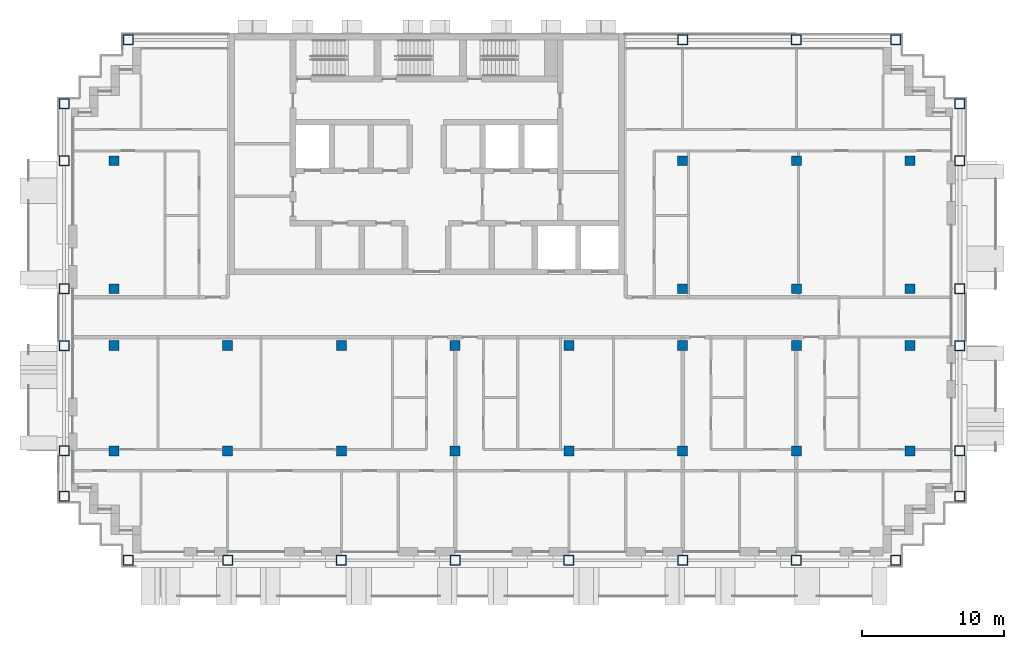
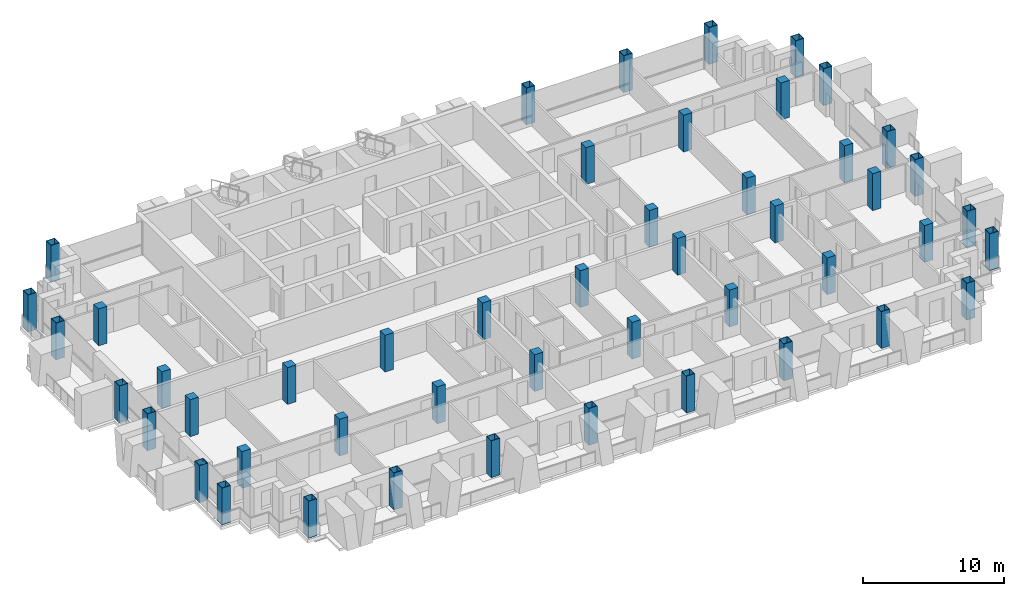
# One storey, part 1 of 16: 48 columns.
"""IFC4 building model written with IfcOpenShell, lengths in metres."""

import ifcopenshell
import ifcopenshell.guid

model = None  # the IFC model being written
_history = None  # IfcOwnerHistory: only IFC2X3 demands one
_inside = {}  # id of a spatial element -> (the spatial element, [elements in it])
_under = {}  # id of a project, library or spatial element -> (it, [spatial elements below it])
_declared = {}  # id of a project -> (the project, [libraries it declares])
_typed = {}  # id of a type object -> (the type object, [elements of that type])
_made_of = {}  # id of a material, layer set ... -> (it, [elements and type objects made of it])


def new_model(schema):
    """Start an empty IFC model of exactly this schema.

    Asked for "IFC4X3", IfcOpenShell would pick the latest addendum, in which some entities
    have other attributes; the version numbers below select the first issue.
    IFC2X3 requires an IfcOwnerHistory on every rooted entity: one is made here for all.
    """
    global model, _history
    if schema == "IFC4X3":
        model = ifcopenshell.file(schema_version=(4, 3, 0, 0))
    else:
        model = ifcopenshell.file(schema=schema)
    _inside.clear()
    _under.clear()
    _declared.clear()
    _typed.clear()
    _made_of.clear()
    _history = None
    if model.schema == "IFC2X3":
        org = make("IfcOrganization", Name="unknown")
        user = make(
            "IfcPersonAndOrganization",
            ThePerson=make("IfcPerson", FamilyName="unknown"),
            TheOrganization=org,
        )
        app = make(
            "IfcApplication",
            ApplicationDeveloper=org,
            Version="unknown",
            ApplicationFullName="unknown",
            ApplicationIdentifier="unknown",
        )
        _history = make(
            "IfcOwnerHistory",
            OwningUser=user,
            OwningApplication=app,
            ChangeAction="ADDED",
            CreationDate=0,
        )
    return model


def make(cls, **values):
    """One entity of the class cls with the attributes given. An attribute that is None is left unset."""
    return model.create_entity(
        cls, **{name: value for name, value in values.items() if value is not None}
    )


def rooted(cls, **values):
    """An entity with a GlobalId (a new one), such as an element, a storey or a relation."""
    return make(cls, GlobalId=ifcopenshell.guid.new(), OwnerHistory=_history, **values)


def si_unit(unit_type, name, prefix=None):
    """IfcSIUnit, for example si_unit("LENGTHUNIT", "METRE", prefix="MILLI")."""
    return make("IfcSIUnit", UnitType=unit_type, Prefix=prefix, Name=name)


def assignment(units):
    """IfcUnitAssignment: the units of a project."""
    return None if units is None else make("IfcUnitAssignment", Units=units)


def point(xyz):
    """IfcCartesianPoint."""
    return None if xyz is None else make("IfcCartesianPoint", Coordinates=xyz)


def direction(xyz):
    """IfcDirection."""
    return None if xyz is None else make("IfcDirection", DirectionRatios=xyz)


def frame(location, z_axis=None, x_axis=None):
    """IfcAxis2Placement3D, a coordinate frame: its origin and axes. An axis left out is left unset."""
    return make(
        "IfcAxis2Placement3D",
        Location=point(location),
        Axis=direction(z_axis),
        RefDirection=direction(x_axis),
    )


def frame_2d(location, x_axis=None):
    """IfcAxis2Placement2D, a coordinate frame in the plane: its origin and x axis."""
    return make(
        "IfcAxis2Placement2D", Location=point(location), RefDirection=direction(x_axis)
    )


def origin():
    """The frame at (0, 0, 0) with its axes left unset."""
    return frame((0.0, 0.0, 0.0))


def origin_2d():
    """The frame at (0, 0) in the plane with its x axis left unset."""
    return frame_2d((0.0, 0.0))


def place(relative_to, where):
    """IfcLocalPlacement: puts the frame where relative to a parent placement (None: the world)."""
    return make(
        "IfcLocalPlacement", PlacementRelTo=relative_to, RelativePlacement=where
    )


def context(
    kind, dimensions, precision=None, world=None, true_north=None, identifier=None
):
    """IfcGeometricRepresentationContext, for example the 3D "Model" context."""
    return make(
        "IfcGeometricRepresentationContext",
        ContextIdentifier=identifier,
        ContextType=kind,
        CoordinateSpaceDimension=dimensions,
        Precision=precision,
        WorldCoordinateSystem=world,
        TrueNorth=true_north,
    )


def subcontext(parent, identifier, kind, view, scale=None):
    """IfcGeometricRepresentationSubContext, for example "Body" below "Model"."""
    return make(
        "IfcGeometricRepresentationSubContext",
        ContextIdentifier=identifier,
        ContextType=kind,
        ParentContext=parent,
        TargetScale=scale,
        TargetView=view,
    )


def project(units=None, contexts=None):
    """IfcProject with its units and contexts."""
    return rooted(
        "IfcProject",
        Name="project",
        RepresentationContexts=contexts,
        UnitsInContext=assignment(units),
    )


def spatial(cls, under=None, at=None, **own):
    """A site, building, storey or space (cls), placed at a placement, below another one or the project."""
    s = rooted(cls, ObjectPlacement=at, **own)
    if under is not None:
        _under.setdefault(under.id(), (under, []))[1].append(s)
    return s


def profile(cls, at=None, kind="AREA", **sizes):
    """A parametric profile (cls). Its sizes go by their IFC names, for example OverallWidth=200.0."""
    return make(cls, ProfileType=kind, Position=at, **sizes)


def rectangle(**sizes):
    """IfcRectangleProfileDef."""
    return profile("IfcRectangleProfileDef", **sizes)


def hollow_rectangle(**sizes):
    """IfcRectangleHollowProfileDef."""
    return profile("IfcRectangleHollowProfileDef", **sizes)


def extrude(swept, where, along, depth):
    """IfcExtrudedAreaSolid: the profile swept, set in the frame where, extruded along a direction by depth."""
    return make(
        "IfcExtrudedAreaSolid",
        SweptArea=swept,
        Position=where,
        ExtrudedDirection=direction(along),
        Depth=depth,
    )


def shape(context_of_items, identifier, shape_type, items):
    """IfcShapeRepresentation: the items that make up one representation, for example the "Body"."""
    return make(
        "IfcShapeRepresentation",
        ContextOfItems=context_of_items,
        RepresentationIdentifier=identifier,
        RepresentationType=shape_type,
        Items=items,
    )


def material(Name=None, Category=None):
    """IfcMaterial."""
    return make("IfcMaterial", Name=Name, Category=Category)


def material_profile(
    of_material, cross_section, Name=None, Category=None, Priority=None
):
    """IfcMaterialProfile: a cross section and its material."""
    return make(
        "IfcMaterialProfile",
        Name=Name,
        Material=of_material,
        Profile=cross_section,
        Priority=Priority,
        Category=Category,
    )


def profile_set(profiles, Name=None, composite=None):
    """IfcMaterialProfileSet."""
    return make(
        "IfcMaterialProfileSet",
        Name=Name,
        MaterialProfiles=profiles,
        CompositeProfile=composite,
    )


def made_of(thing, what):
    """Note that an element or type object is made of a material, layer set ...; save() writes the relation."""
    if what is not None:
        _made_of.setdefault(what.id(), (what, []))[1].append(thing)
    return thing


def type_object(cls, material=None, **own):
    """A type object (cls), such as IfcWallType, which elements share."""
    return made_of(rooted(cls, **own), material)


def element(
    cls,
    number,
    at=None,
    inside=None,
    cuts=None,
    type_object=None,
    material=None,
    context=None,
    identifier="Body",
    shape_type=None,
    held_by="IfcProductDefinitionShape",
    body=None,
    shapes=None,
    **own,
):
    """One element of the class cls, such as IfcWall. Its Tag is "e" and its number.

    at: its placement. inside: the storey or other place that contains it. cuts: it is an
    opening in that element (IfcRelVoidsElement). A single representation is given by context,
    identifier, shape_type and body (its items); several are given by shapes. held_by: the class
    of the entity that holds the representations. save() writes the other relations.
    """
    e = rooted(cls, Tag="e%d" % number, ObjectPlacement=at, **own)
    if body is not None:
        shapes = [shape(context, identifier, shape_type, body)]
    if shapes is not None:
        e.Representation = make(held_by, Representations=shapes)
    if inside is not None:
        _inside.setdefault(inside.id(), (inside, []))[1].append(e)
    if cuts is not None:
        rooted(
            "IfcRelVoidsElement", RelatingBuildingElement=cuts, RelatedOpeningElement=e
        )
    if type_object is not None:
        _typed.setdefault(type_object.id(), (type_object, []))[1].append(e)
    return made_of(e, material)


def aggregate(whole, parts):
    """IfcRelAggregates: a whole, such as a stair, and the parts it consists of."""
    return rooted("IfcRelAggregates", RelatingObject=whole, RelatedObjects=parts)


def save(model, path):
    """Write the relations noted so far, then the file.

    IfcRelAggregates (storeys below a building ...), IfcRelContainedInSpatialStructure (elements
    in a storey), IfcRelDefinesByType, IfcRelAssociatesMaterial and IfcRelDeclares: one each for
    every whole, place, type object, material and project.
    """
    for whole, parts in _under.values():
        aggregate(whole, parts)
    for where, things in _inside.values():
        rooted(
            "IfcRelContainedInSpatialStructure",
            RelatedElements=things,
            RelatingStructure=where,
        )
    for kind, things in _typed.values():
        rooted("IfcRelDefinesByType", RelatedObjects=things, RelatingType=kind)
    for what, things in _made_of.values():
        rooted("IfcRelAssociatesMaterial", RelatedObjects=things, RelatingMaterial=what)
    for by, libraries in _declared.values():
        rooted("IfcRelDeclares", RelatingContext=by, RelatedDefinitions=libraries)
    model.write(path)


model = new_model("IFC4")

# Units and contexts
model_context = context("Model", 3, precision=1e-05, world=origin(), true_north=direction((0.0, 1.0)))
body_context = subcontext(model_context, "Body", "Model", "MODEL_VIEW")
ifc_project = project(units=[si_unit("LENGTHUNIT", "METRE"), si_unit("AREAUNIT", "SQUARE_METRE"), si_unit("VOLUMEUNIT", "CUBIC_METRE"), si_unit("PLANEANGLEUNIT", "RADIAN"), si_unit("MASSUNIT", "GRAM", prefix="KILO")], contexts=[model_context])

# Site, building, storey
site_placement = place(None, origin())
site = spatial("IfcSite", under=ifc_project, at=site_placement, CompositionType="ELEMENT")
building_placement = place(site_placement, origin())
building = spatial("IfcBuilding", under=site, at=building_placement, Name="Vidyagriha Tower", CompositionType="ELEMENT")
storey_placement = place(building_placement, frame((0.0, 0.0, 178.10009765625)))
storey = spatial("IfcBuildingStorey", under=building, at=storey_placement, Name="L46", CompositionType="ELEMENT", Elevation=178.10009765625)

# Columns
ifc_material_1 = material(Name="Steel ASTM A572 Grade 50", Category="steel")
ifc_material_profile_1 = material_profile(ifc_material_1, hollow_rectangle(XDim=0.699951171875, YDim=0.699951171875, WallThickness=0.035888671875, at=origin_2d()), Name="BOX 700x700x36")
ifc_profile_set_1 = profile_set([ifc_material_profile_1], Name="Steel ASTM A572 Grade 50")
column_type_1 = type_object("IfcColumnType", Name="Exoskeleton column BOX 700x700x36", PredefinedType="COLUMN", material=ifc_profile_set_1)
for number, where, name in (
    (1, (-21.0, -17.10009765625, 0.0), "st-col-L46-B4-001"),
    (2, (-14.0, -17.10009765625, 0.0), "st-col-L46-B4-002"),
    (3, (-6.0, -17.10009765625, 0.0), "st-col-L46-B4-003"),
    (4, (2.0, -17.10009765625, 0.0), "st-col-L46-B4-004"),
    (5, (10.0, -17.10009765625, 0.0), "st-col-L46-B4-005"),
    (6, (18.0, -17.10009765625, 0.0), "st-col-L46-B4-006"),
    (7, (26.0, -17.10009765625, 0.0), "st-col-L46-B4-007"),
    (8, (33.0, -17.10009765625, 0.0), "st-col-L46-B4-008"),
    (9, (-25.5, -12.60009765625, 0.0), "st-col-L46-B4-009"),
    (10, (37.5, -12.60009765625, 0.0), "st-col-L46-B4-010"),
    (11, (-25.5, -9.39990234375, 0.0), "st-col-L46-B4-011"),
    (12, (37.5, -9.39990234375, 0.0), "st-col-L46-B4-020"),
    (13, (-25.5, -2.0, 0.0), "st-col-L46-B4-021"),
    (14, (37.5, -2.0, 0.0), "st-col-L46-B4-030"),
    (15, (-25.5, 2.0, 0.0), "st-col-L46-B4-031"),
    (16, (37.5, 2.0, 0.0), "st-col-L46-B4-036"),
    (17, (-25.5, 11.0, 0.0), "st-col-L46-B4-037"),
    (18, (37.5, 11.0, 0.0), "st-col-L46-B4-042"),
    (19, (-25.5, 15.0, 0.0), "st-col-L46-B4-043"),
    (20, (37.5, 15.0, 0.0), "st-col-L46-B4-044"),
    (21, (-21.0, 19.5, 0.0), "st-col-L46-B4-045"),
    (22, (18.0, 19.5, 0.0), "st-col-L46-B4-046"),
    (23, (26.0, 19.5, 0.0), "st-col-L46-B4-047"),
    (24, (33.0, 19.5, 0.0), "st-col-L46-B4-048"),
):
    element("IfcColumn", number, at=place(storey_placement, frame(where)), inside=storey, type_object=column_type_1, Name=name, PredefinedType="COLUMN", context=body_context, shape_type="SweptSolid", body=[
        extrude(hollow_rectangle(XDim=0.699951171875, YDim=0.699951171875, WallThickness=0.035888671875, at=origin_2d()), origin(), (0.0, 0.0, 1.0), 3.199951171875),
    ])
ifc_material_2 = material(Name="Concrete C60/75", Category="concrete")
ifc_material_profile_2 = material_profile(ifc_material_2, rectangle(XDim=0.699951171875, YDim=0.699951171875, at=origin_2d()), Name="RC 700x700")
ifc_profile_set_2 = profile_set([ifc_material_profile_2], Name="Concrete C60/75")
column_type_2 = type_object("IfcColumnType", Name="Frame column RC 700x700", PredefinedType="COLUMN", material=ifc_profile_set_2)
for number, where, name in (
    (25, (-22.0, -9.39990234375, 0.0), "st-col-L46-B4-012"),
    (26, (-14.0, -9.39990234375, 0.0), "st-col-L46-B4-013"),
    (27, (-6.0, -9.39990234375, 0.0), "st-col-L46-B4-014"),
    (28, (2.0, -9.39990234375, 0.0), "st-col-L46-B4-015"),
    (29, (10.0, -9.39990234375, 0.0), "st-col-L46-B4-016"),
    (30, (18.0, -9.39990234375, 0.0), "st-col-L46-B4-017"),
    (31, (26.0, -9.39990234375, 0.0), "st-col-L46-B4-018"),
    (32, (34.0, -9.39990234375, 0.0), "st-col-L46-B4-019"),
    (33, (-22.0, -2.0, 0.0), "st-col-L46-B4-022"),
    (34, (-14.0, -2.0, 0.0), "st-col-L46-B4-023"),
    (35, (-6.0, -2.0, 0.0), "st-col-L46-B4-024"),
    (36, (2.0, -2.0, 0.0), "st-col-L46-B4-025"),
    (37, (10.0, -2.0, 0.0), "st-col-L46-B4-026"),
    (38, (18.0, -2.0, 0.0), "st-col-L46-B4-027"),
    (39, (26.0, -2.0, 0.0), "st-col-L46-B4-028"),
    (40, (34.0, -2.0, 0.0), "st-col-L46-B4-029"),
    (41, (-22.0, 2.0, 0.0), "st-col-L46-B4-032"),
    (42, (18.0, 2.0, 0.0), "st-col-L46-B4-033"),
    (43, (26.0, 2.0, 0.0), "st-col-L46-B4-034"),
    (44, (34.0, 2.0, 0.0), "st-col-L46-B4-035"),
    (45, (-22.0, 11.0, 0.0), "st-col-L46-B4-038"),
    (46, (18.0, 11.0, 0.0), "st-col-L46-B4-039"),
    (47, (26.0, 11.0, 0.0), "st-col-L46-B4-040"),
    (48, (34.0, 11.0, 0.0), "st-col-L46-B4-041"),
):
    element("IfcColumn", number, at=place(storey_placement, frame(where)), inside=storey, type_object=column_type_2, Name=name, PredefinedType="COLUMN", context=body_context, shape_type="SweptSolid", body=[
        extrude(rectangle(XDim=0.699951171875, YDim=0.699951171875, at=origin_2d()), origin(), (0.0, 0.0, 1.0), 3.199951171875),
    ])

save(model, "model.ifc")
